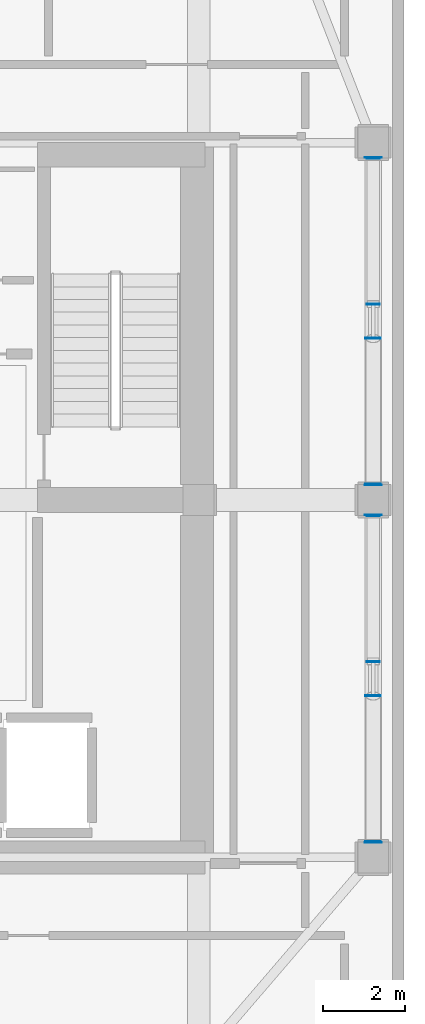
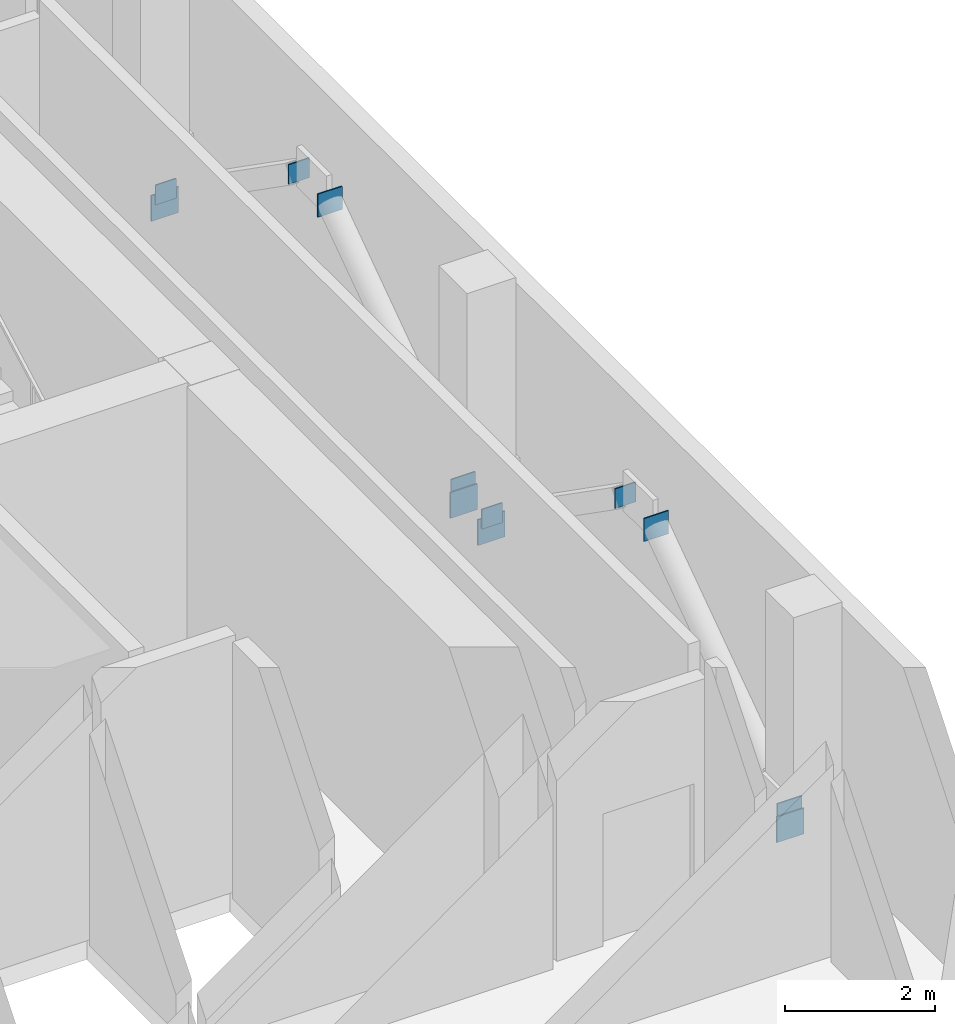
# One storey, part 6 of 13: 12 plates.
"""IFC4 building model written with IfcOpenShell, lengths in metres."""

from ifc_helpers import new_model, si_unit, direction, frame, origin, origin_2d, place, context, subcontext, project, spatial, rectangle, extrude, material, layer, layer_set, type_object, element, save


model = new_model("IFC4")

# Units and contexts
model_context = context("Model", 3, precision=1e-05, world=origin(), true_north=direction((0.0, 1.0)))
body_context = subcontext(model_context, "Body", "Model", "MODEL_VIEW")
ifc_project = project(units=[si_unit("LENGTHUNIT", "METRE"), si_unit("AREAUNIT", "SQUARE_METRE"), si_unit("VOLUMEUNIT", "CUBIC_METRE"), si_unit("PLANEANGLEUNIT", "RADIAN"), si_unit("MASSUNIT", "GRAM", prefix="KILO")], contexts=[model_context])

# Site, building, storey
site_placement = place(None, origin())
site = spatial("IfcSite", under=ifc_project, at=site_placement, CompositionType="ELEMENT")
building_placement = place(site_placement, origin())
building = spatial("IfcBuilding", under=site, at=building_placement, Name="Solanera Arch Residences", CompositionType="ELEMENT")
storey_placement = place(building_placement, frame((0.0, 0.0, 257.840087890625)))
storey = spatial("IfcBuildingStorey", under=building, at=storey_placement, Name="L75", CompositionType="ELEMENT", Elevation=257.840087890625)

# Plates
ifc_material = material(Name="Steel S355 (ASTM A992 / A572 Grade 50)", Category="steel")
ifc_layer = layer(ifc_material, 0.02001953125)
ifc_layer_set = layer_set([ifc_layer], Name="Steel S355 (ASTM A992 / A572 Grade 50)")
plate_type = type_object("IfcPlateType", Name="End Cap Plate EC-20", PredefinedType="USERDEFINED", material=ifc_layer_set)
for number, where, z_axis, x_axis, name in (
    (1, (40.75, 22.364990234375, 0.239990234375), (0.0, 0.0, 1.0), (0.0, -1.0, 0.0), "Hollow Section End Cap 253"),
    (2, (40.75, 30.3349609375, 0.239990234375), (0.0, 0.0, 1.0), (0.0, 1.0, 0.0), "Hollow Section End Cap 254"),
):
    element("IfcPlate", number, at=place(storey_placement, frame(where, z_axis=z_axis, x_axis=x_axis)), inside=storey, type_object=plate_type, Name=name, ObjectType="STIFFENER", PredefinedType="USERDEFINED", context=body_context, shape_type="SweptSolid", body=[
        extrude(rectangle(XDim=0.02001953125, YDim=0.419921875, at=origin_2d()), origin(), (0.0, 0.0, 1.0), 0.419921875),
    ])
for number, where, z_axis, x_axis, name in (
    (3, (40.75, 22.386962890625, 0.475830078125), (0.0, 0.0, 1.0), (0.0, -1.0, 0.0), "Hollow Section End Cap 255"),
    (4, (40.75, 25.93798828125, 2.96484375), (0.0, 0.0, 1.0), (0.0, 1.0, 0.0), "Hollow Section End Cap 256"),
):
    element("IfcPlate", number, at=place(storey_placement, frame(where, z_axis=z_axis, x_axis=x_axis)), inside=storey, type_object=plate_type, Name=name, ObjectType="STIFFENER", PredefinedType="USERDEFINED", context=body_context, shape_type="SweptSolid", body=[
        extrude(rectangle(XDim=0.02001953125, YDim=0.3759765625, at=origin_2d()), origin(), (0.0, 0.0, 1.0), 0.3759765625),
    ])
for number, where, z_axis, x_axis, name in (
    (5, (40.75, 30.31298828125, 0.50390625), (0.0, 0.0, 1.0), (0.0, 1.0, 0.0), "Hollow Section End Cap 257"),
    (6, (40.75, 26.761962890625, 2.99267578125), (0.0, 0.0, 1.0), (0.0, -1.0, 0.0), "Hollow Section End Cap 258"),
):
    element("IfcPlate", number, at=place(storey_placement, frame(where, z_axis=z_axis, x_axis=x_axis)), inside=storey, type_object=plate_type, Name=name, ObjectType="STIFFENER", PredefinedType="USERDEFINED", context=body_context, shape_type="SweptSolid", body=[
        extrude(rectangle(XDim=0.02001953125, YDim=0.320068359375, at=origin_2d()), origin(), (0.0, 0.0, 1.0), 0.320068359375),
    ])
for number, where, z_axis, x_axis, name in (
    (7, (40.75, 31.06494140625, 0.239990234375), (0.0, 0.0, 1.0), (0.0, -1.0, 0.0), "Hollow Section End Cap 259"),
    (8, (40.75, 39.034912109375, 0.239990234375), (0.0, 0.0, 1.0), (0.0, 1.0, 0.0), "Hollow Section End Cap 260"),
):
    element("IfcPlate", number, at=place(storey_placement, frame(where, z_axis=z_axis, x_axis=x_axis)), inside=storey, type_object=plate_type, Name=name, ObjectType="STIFFENER", PredefinedType="USERDEFINED", context=body_context, shape_type="SweptSolid", body=[
        extrude(rectangle(XDim=0.02001953125, YDim=0.419921875, at=origin_2d()), origin(), (0.0, 0.0, 1.0), 0.419921875),
    ])
for number, where, z_axis, x_axis, name in (
    (9, (40.75, 31.0869140625, 0.475830078125), (0.0, 0.0, 1.0), (0.0, -1.0, 0.0), "Hollow Section End Cap 261"),
    (10, (40.75, 34.637939453125, 2.96484375), (0.0, 0.0, 1.0), (0.0, 1.0, 0.0), "Hollow Section End Cap 262"),
):
    element("IfcPlate", number, at=place(storey_placement, frame(where, z_axis=z_axis, x_axis=x_axis)), inside=storey, type_object=plate_type, Name=name, ObjectType="STIFFENER", PredefinedType="USERDEFINED", context=body_context, shape_type="SweptSolid", body=[
        extrude(rectangle(XDim=0.02001953125, YDim=0.3759765625, at=origin_2d()), origin(), (0.0, 0.0, 1.0), 0.3759765625),
    ])
for number, where, z_axis, x_axis, name in (
    (11, (40.75, 39.012939453125, 0.50390625), (0.0, 0.0, 1.0), (0.0, 1.0, 0.0), "Hollow Section End Cap 263"),
    (12, (40.75, 35.4619140625, 2.99267578125), (0.0, 0.0, 1.0), (0.0, -1.0, 0.0), "Hollow Section End Cap 264"),
):
    element("IfcPlate", number, at=place(storey_placement, frame(where, z_axis=z_axis, x_axis=x_axis)), inside=storey, type_object=plate_type, Name=name, ObjectType="STIFFENER", PredefinedType="USERDEFINED", context=body_context, shape_type="SweptSolid", body=[
        extrude(rectangle(XDim=0.02001953125, YDim=0.320068359375, at=origin_2d()), origin(), (0.0, 0.0, 1.0), 0.320068359375),
    ])

save(model, "model.ifc")
